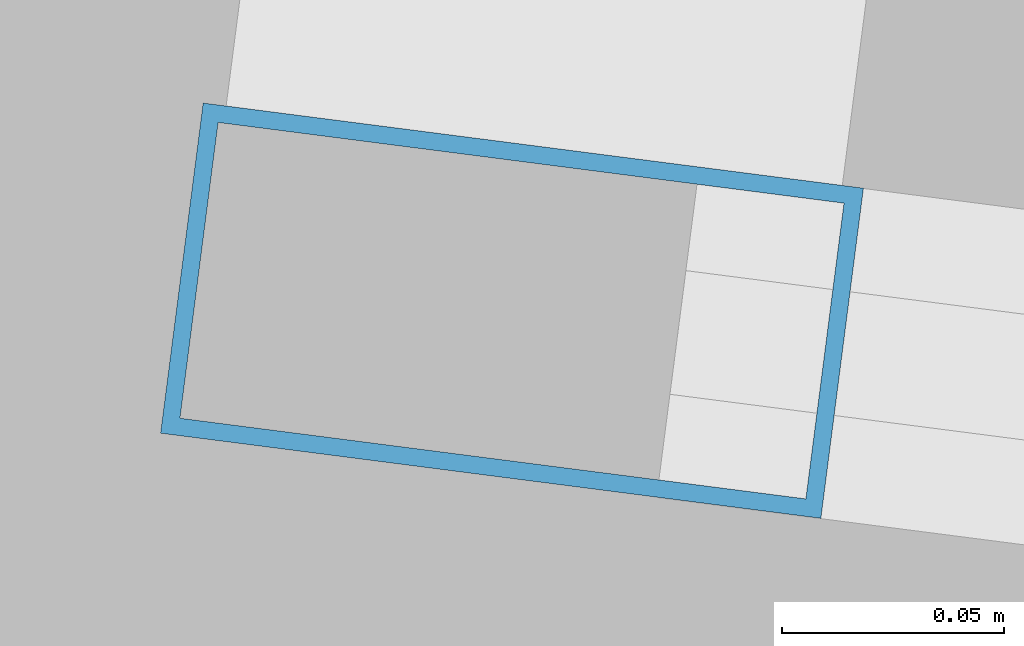
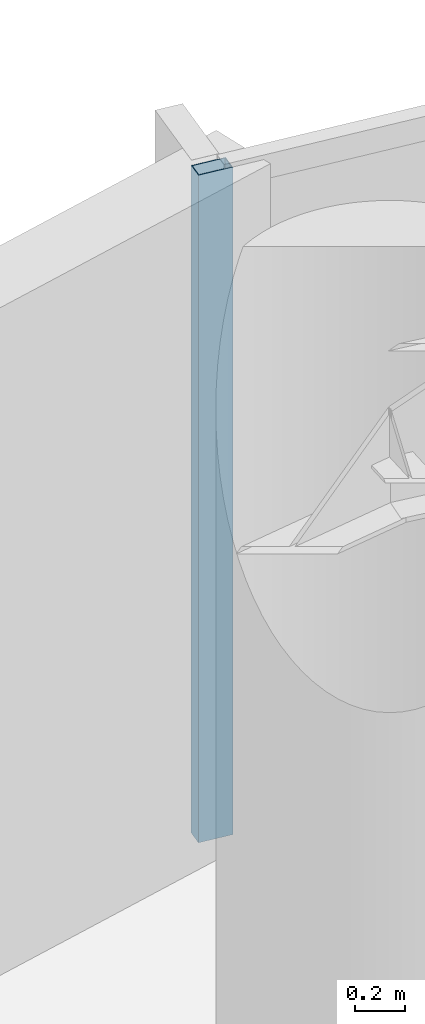
# One storey, part 22 of 30: 1 member, 1 element without a shape of its own.
"""IFC4 building model written with IfcOpenShell, lengths in metres."""

from ifc_helpers import new_model, si_unit, direction, frame, origin, origin_2d, place, context, subcontext, project, spatial, hollow_rectangle, extrude, material, layer, layer_set, material_profile, profile_set, type_object, element, aggregate, save


model = new_model("IFC4")

# Units and contexts
model_context = context("Model", 3, precision=1e-05, world=origin(), true_north=direction((0.0, 1.0)))
body_context = subcontext(model_context, "Body", "Model", "MODEL_VIEW")
ifc_project = project(units=[si_unit("LENGTHUNIT", "METRE"), si_unit("AREAUNIT", "SQUARE_METRE"), si_unit("VOLUMEUNIT", "CUBIC_METRE"), si_unit("PLANEANGLEUNIT", "RADIAN"), si_unit("MASSUNIT", "GRAM", prefix="KILO")], contexts=[model_context])

# Site, building, storey
site_placement = place(None, origin())
site = spatial("IfcSite", under=ifc_project, at=site_placement, CompositionType="ELEMENT")
building_placement = place(site_placement, origin())
building = spatial("IfcBuilding", under=site, at=building_placement, Name="Kazevale Care Tower and Concert Hall", CompositionType="ELEMENT")
storey_placement = place(building_placement, frame((0.0, 0.0, 88.800048828125)))
storey = spatial("IfcBuildingStorey", under=building, at=storey_placement, Name="L23", CompositionType="ELEMENT", Elevation=88.800048828125)

# Curtain wall, member
ifc_material_1 = material(Name="Aluminium 6063-T6 and Low-E Glass", Category="aluminium")
ifc_layer = layer(ifc_material_1, 0.179931640625)
ifc_layer_set = layer_set([ifc_layer], Name="Aluminium 6063-T6 and Low-E Glass")
curtain_wall_type = type_object("IfcCurtainWallType", Name="Convex Recessed Sunroom Curtain Wall CW-3", PredefinedType="NOTDEFINED", material=ifc_layer_set)
curtain_wall_placement = place(storey_placement, origin())
curtain_wall = element("IfcCurtainWall", 1, at=curtain_wall_placement, inside=storey, type_object=curtain_wall_type, Name="cw:L23:f16", PredefinedType="NOTDEFINED")
ifc_material_2 = material(Name="Aluminium 6063-T6", Category="aluminium")
ifc_material_profile = material_profile(ifc_material_2, hollow_rectangle(XDim=0.074951171875, YDim=0.14990234375, WallThickness=0.00390625, at=origin_2d()), Name="ALU75x150x4")
ifc_profile_set = profile_set([ifc_material_profile], Name="Aluminium 6063-T6")
member_type = type_object("IfcMemberType", Name="CW-3 Mullion ALU75x150x4", PredefinedType="MULLION", material=ifc_profile_set)
member_placement = place(storey_placement, frame((45.0791015625, 64.21728515625, 0.0), z_axis=(0.0, 0.0, 1.0), x_axis=(0.127869904852, 0.991790949461, 0.0)))
member = element("IfcMember", 2, at=member_placement, type_object=member_type, Name="CW-3 mullion 1", PredefinedType="MULLION", context=body_context, shape_type="SweptSolid", body=[
    extrude(hollow_rectangle(XDim=0.074951171875, YDim=0.14990234375, WallThickness=0.00390625, at=origin_2d()), origin(), (0.0, 0.0, 1.0), 3.280029296875),
])
aggregate(curtain_wall, [member])

save(model, "model.ifc")
